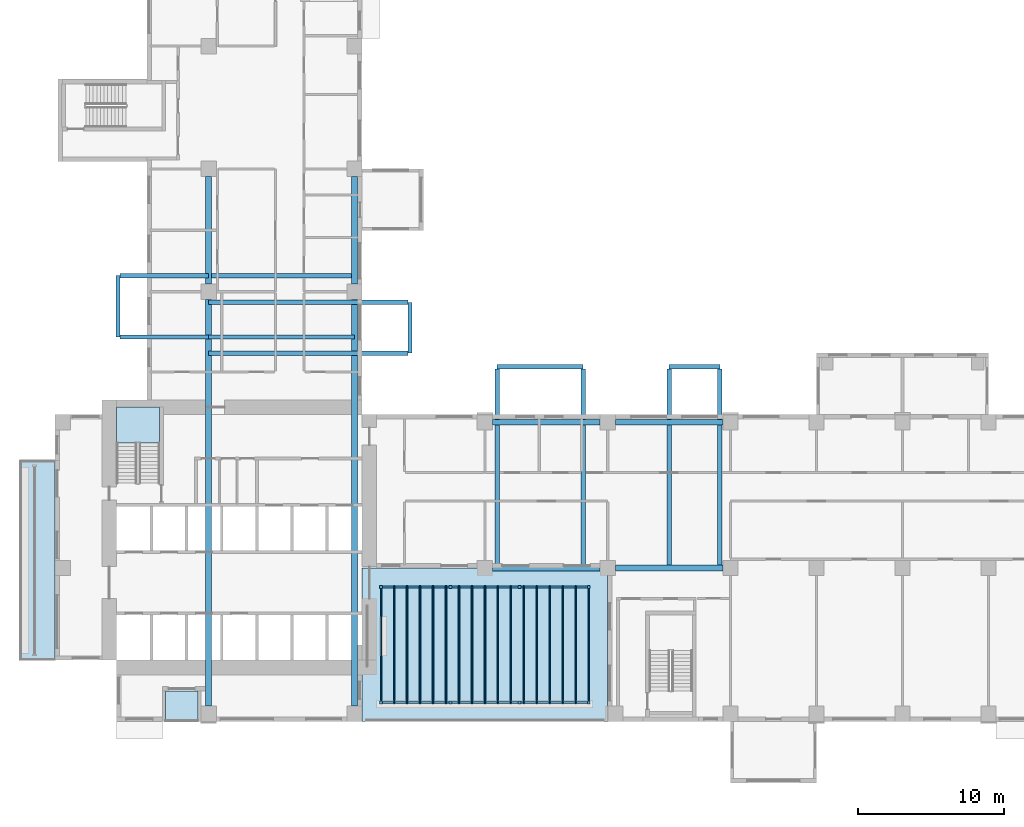
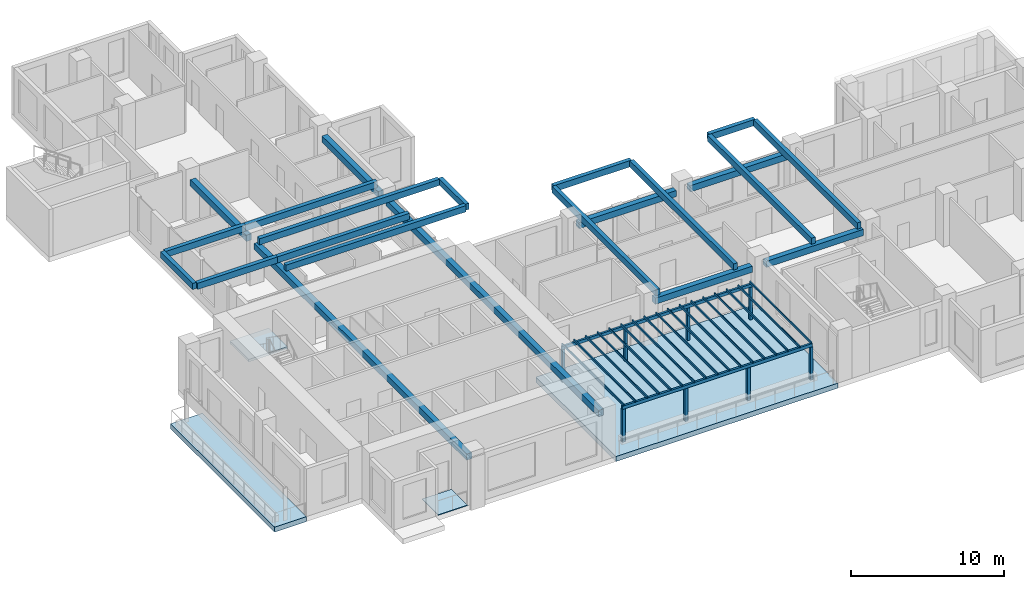
# One storey, part 2 of 15: 27 members, 22 beams, 4 slabs, 1 element without a shape of its own.
"""IFC4 building model written with IfcOpenShell, lengths in metres."""

from ifc_helpers import new_model, si_unit, direction, frame, origin, origin_2d, place, context, subcontext, project, spatial, polyline, rectangle, outline, extrude, source, transform, mapped, material, layer, layer_set, material_profile, profile_set, type_object, element, aggregate, save


model = new_model("IFC4")

# Units and contexts
model_context = context("Model", 3, precision=1e-05, world=origin(), true_north=direction((0.0, 1.0)))
body_context = subcontext(model_context, "Body", "Model", "MODEL_VIEW")
ifc_project = project(units=[si_unit("LENGTHUNIT", "METRE"), si_unit("AREAUNIT", "SQUARE_METRE"), si_unit("VOLUMEUNIT", "CUBIC_METRE"), si_unit("PLANEANGLEUNIT", "RADIAN"), si_unit("MASSUNIT", "GRAM", prefix="KILO")], contexts=[model_context])

# Site, building, storey
site_placement = place(None, origin())
site = spatial("IfcSite", under=ifc_project, at=site_placement, CompositionType="ELEMENT")
building_placement = place(site_placement, origin())
building = spatial("IfcBuilding", under=site, at=building_placement, Name="Aurelian Terraces", CompositionType="ELEMENT")
storey_placement = place(building_placement, frame((0.0, 0.0, 145.5)))
storey = spatial("IfcBuildingStorey", under=building, at=storey_placement, Name="L32", CompositionType="ELEMENT", Elevation=145.5)

# Beams
ifc_material_1 = material(Name="Concrete fc' 40 MPa", Category="concrete")
ifc_material_profile_1 = material_profile(ifc_material_1, rectangle(XDim=0.3, YDim=0.5, at=origin_2d()))
ifc_profile_set_1 = profile_set([ifc_material_profile_1], Name="Concrete fc' 40 MPa")
beam_type_1 = type_object("IfcBeamType", Name="CONCRETE CANTILEVER BEAM 300X500", PredefinedType="BEAM", material=ifc_profile_set_1)
shared_shape_1 = source(origin(), body_context, "Body", "SweptSolid", [
    extrude(rectangle(XDim=0.3, YDim=0.5, at=origin_2d()), origin(), (0.0, 0.0, 1.0), 4.2),
])
beam_1_placement = place(storey_placement, frame((4.3, 26.3, 3.55), z_axis=(0.0, 1.0, 0.0), x_axis=(-1.0, 0.0, 0.0)))
element("IfcBeam", 1, at=beam_1_placement, inside=storey, type_object=beam_type_1, Name="Box tip beam J50", PredefinedType="BEAM", context=body_context, shape_type="MappedRepresentation", body=[
    mapped(shared_shape_1, transform((0.0, 0.0, 0.0), scale=1.0)),
])
shared_shape_2 = source(origin(), body_context, "Body", "SweptSolid", [
    extrude(rectangle(XDim=0.3, YDim=0.5, at=origin_2d()), origin(), (0.0, 0.0, 1.0), 5.88),
])
beam_2_placement = place(storey_placement, frame((30.24, 24.275, 3.55), z_axis=(1.0, 0.0, 0.0), x_axis=(0.0, 1.0, 0.0)))
element("IfcBeam", 2, at=beam_2_placement, inside=storey, type_object=beam_type_1, Name="Box tip beam J47", PredefinedType="BEAM", context=body_context, shape_type="MappedRepresentation", body=[
    mapped(shared_shape_2, transform((0.0, 0.0, 0.0), scale=1.0)),
])
shared_shape_3 = source(origin(), body_context, "Body", "SweptSolid", [
    extrude(rectangle(XDim=0.3, YDim=0.5, at=origin_2d()), origin(), (0.0, 0.0, 1.0), 13.625),
])
for number, where, z_axis, x_axis, name in (
    (3, (30.24, 24.125, 3.55), (0.0, -1.0, 0.0), (1.0, 0.0, 0.0), "Box cantilever beam J47.1"),
    (4, (36.12, 24.125, 3.55), (0.0, -1.0, 0.0), (1.0, 0.0, 0.0), "Box cantilever beam J47.2"),
    (5, (42.0, 24.125, 3.55), (0.0, -1.0, 0.0), (1.0, 0.0, 0.0), "Box cantilever beam J48.1"),
    (6, (45.475, 24.125, 3.55), (0.0, -1.0, 0.0), (1.0, 0.0, 0.0), "Box cantilever beam J48.2"),
    (7, (24.125, 25.2, 3.55), (-1.0, 0.0, 0.0), (0.0, -1.0, 0.0), "Box cantilever beam J49.1"),
    (8, (24.125, 28.675, 3.55), (-1.0, 0.0, 0.0), (0.0, -1.0, 0.0), "Box cantilever beam J49.2"),
):
    element("IfcBeam", number, at=place(storey_placement, frame(where, z_axis=z_axis, x_axis=x_axis)), inside=storey, type_object=beam_type_1, Name=name, PredefinedType="BEAM", context=body_context, shape_type="MappedRepresentation", body=[
        mapped(shared_shape_3, transform((0.0, 0.0, 0.0), scale=1.0)),
    ])
ifc_material_profile_2 = material_profile(ifc_material_1, rectangle(XDim=0.4, YDim=0.5, at=origin_2d()))
ifc_profile_set_2 = profile_set([ifc_material_profile_2], Name="Concrete fc' 40 MPa")
beam_type_2 = type_object("IfcBeamType", Name="CONCRETE EDGE GIRDER 400X500", PredefinedType="BEAM", material=ifc_profile_set_2)
shared_shape_4 = source(origin(), body_context, "Body", "SweptSolid", [
    extrude(rectangle(XDim=0.4, YDim=0.5, at=origin_2d()), origin(), (0.0, 0.0, 1.0), 27.825),
])
for number, where, z_axis, x_axis, name in (
    (9, (20.475, 1.05, 3.05), (0.0, 1.0, 0.0), (-1.0, 0.0, 0.0), "Box girder L32 O101"),
    (10, (10.5, 1.05, 3.05), (0.0, 1.0, 0.0), (-1.0, 0.0, 0.0), "Box girder L32 I102"),
):
    element("IfcBeam", number, at=place(storey_placement, frame(where, z_axis=z_axis, x_axis=x_axis)), inside=storey, type_object=beam_type_2, Name=name, PredefinedType="BEAM", context=body_context, shape_type="MappedRepresentation", body=[
        mapped(shared_shape_4, transform((0.0, 0.0, 0.0), scale=1.0)),
    ])
shared_shape_5 = source(origin(), body_context, "Body", "SweptSolid", [
    extrude(rectangle(XDim=0.4, YDim=0.5, at=origin_2d()), origin(), (0.0, 0.0, 1.0), 7.35),
])
for number, where, z_axis, x_axis, name in (
    (11, (29.925, 20.475, 3.05), (1.0, 0.0, 0.0), (0.0, 1.0, 0.0), "Box girder L32 O97"),
    (12, (29.925, 10.5, 3.05), (1.0, 0.0, 0.0), (0.0, 1.0, 0.0), "Box girder L32 I98"),
    (13, (38.325, 20.475, 3.05), (1.0, 0.0, 0.0), (0.0, 1.0, 0.0), "Box girder L32 O99"),
    (14, (38.325, 10.5, 3.05), (1.0, 0.0, 0.0), (0.0, 1.0, 0.0), "Box girder L32 I100"),
    (15, (10.5, 29.925, 3.05), (0.0, 1.0, 0.0), (-1.0, 0.0, 0.0), "Box girder L32 O103"),
    (16, (20.475, 29.925, 3.05), (0.0, 1.0, 0.0), (-1.0, 0.0, 0.0), "Box girder L32 I104"),
):
    element("IfcBeam", number, at=place(storey_placement, frame(where, z_axis=z_axis, x_axis=x_axis)), inside=storey, type_object=beam_type_2, Name=name, PredefinedType="BEAM", context=body_context, shape_type="MappedRepresentation", body=[
        mapped(shared_shape_5, transform((0.0, 0.0, 0.0), scale=1.0)),
    ])
shared_shape_6 = source(origin(), body_context, "Body", "SweptSolid", [
    extrude(rectangle(XDim=0.3, YDim=0.5, at=origin_2d()), origin(), (0.0, 0.0, 1.0), 3.475),
])
for number, where, z_axis, x_axis, name in (
    (17, (42.0, 24.275, 3.55), (1.0, 0.0, 0.0), (0.0, 1.0, 0.0), "Box tip beam J48"),
    (18, (24.275, 25.2, 3.55), (0.0, 1.0, 0.0), (-1.0, 0.0, 0.0), "Box tip beam J49"),
):
    element("IfcBeam", number, at=place(storey_placement, frame(where, z_axis=z_axis, x_axis=x_axis)), inside=storey, type_object=beam_type_1, Name=name, PredefinedType="BEAM", context=body_context, shape_type="MappedRepresentation", body=[
        mapped(shared_shape_6, transform((0.0, 0.0, 0.0), scale=1.0)),
    ])
ifc_material_profile_3 = material_profile(ifc_material_1, rectangle(XDim=0.3, YDim=0.5, at=origin_2d()))
ifc_profile_set_3 = profile_set([ifc_material_profile_3], Name="Concrete fc' 40 MPa")
beam_type_3 = type_object("IfcBeamType", Name="CONCRETE BOX CANTILEVER BEAM 300X500", PredefinedType="BEAM", material=ifc_profile_set_3)
shared_shape_7 = source(origin(), body_context, "Body", "SweptSolid", [
    extrude(rectangle(XDim=0.3, YDim=0.5, at=origin_2d()), origin(), (0.0, 0.0, 1.0), 6.05),
])
for number, where, z_axis, x_axis, name in (
    (19, (4.45, 26.3, 3.55), (1.0, 0.0, 0.0), (0.0, 1.0, 0.0), "Box cantilever beam J50.1"),
    (20, (4.45, 30.5, 3.55), (1.0, 0.0, 0.0), (0.0, 1.0, 0.0), "Box cantilever beam J50.2"),
):
    element("IfcBeam", number, at=place(storey_placement, frame(where, z_axis=z_axis, x_axis=x_axis)), inside=storey, type_object=beam_type_3, Name=name, PredefinedType="BEAM", context=body_context, shape_type="MappedRepresentation", body=[
        mapped(shared_shape_7, transform((0.0, 0.0, 0.0), scale=1.0)),
    ])
shared_shape_8 = source(origin(), body_context, "Body", "SweptSolid", [
    extrude(rectangle(XDim=0.3, YDim=0.5, at=origin_2d()), origin(), (0.0, 0.0, 1.0), 9.975),
])
for number, where, z_axis, x_axis, name in (
    (21, (10.5, 26.3, 3.55), (1.0, 0.0, 0.0), (0.0, 1.0, 0.0), "Box back-span beam J50.1"),
    (22, (10.5, 30.5, 3.55), (1.0, 0.0, 0.0), (0.0, 1.0, 0.0), "Box back-span beam J50.2"),
):
    element("IfcBeam", number, at=place(storey_placement, frame(where, z_axis=z_axis, x_axis=x_axis)), inside=storey, type_object=beam_type_1, Name=name, PredefinedType="BEAM", context=body_context, shape_type="MappedRepresentation", body=[
        mapped(shared_shape_8, transform((0.0, 0.0, 0.0), scale=1.0)),
    ])

# Members
ifc_material_2 = material(Name="Anodised aluminium", Category="aluminium")
ifc_material_profile_4 = material_profile(ifc_material_2, rectangle(XDim=0.2, YDim=0.2, at=origin_2d()))
ifc_profile_set_4 = profile_set([ifc_material_profile_4], Name="Anodised aluminium")
member_type_1 = type_object("IfcMemberType", Name="PERGOLA POST 200X200", PredefinedType="POST", material=ifc_profile_set_4)
shared_shape_9 = source(origin(), body_context, "Body", "SweptSolid", [
    extrude(rectangle(XDim=0.2, YDim=0.2, at=origin_2d()), origin(), (0.0, 0.0, 1.0), 2.6),
])
for number, where, z_axis, x_axis, name in (
    (23, (22.3, 1.3, 0.0), (0.0, 0.0, 1.0), (1.0, 0.0, 0.0), "Pergola post L32 SKY-05-T1.1.1"),
    (24, (22.3, 9.2, 0.0), (0.0, 0.0, 1.0), (1.0, 0.0, 0.0), "Pergola post L32 SKY-05-T1.1.2"),
    (25, (27.0333, 1.3, 0.0), (0.0, 0.0, 1.0), (1.0, 0.0, 0.0), "Pergola post L32 SKY-05-T1.2.1"),
    (26, (27.0333, 9.2, 0.0), (0.0, 0.0, 1.0), (1.0, 0.0, 0.0), "Pergola post L32 SKY-05-T1.2.2"),
    (27, (31.7667, 1.3, 0.0), (0.0, 0.0, 1.0), (1.0, 0.0, 0.0), "Pergola post L32 SKY-05-T1.3.1"),
    (28, (31.7667, 9.2, 0.0), (0.0, 0.0, 1.0), (1.0, 0.0, 0.0), "Pergola post L32 SKY-05-T1.3.2"),
    (29, (36.5, 1.3, 0.0), (0.0, 0.0, 1.0), (1.0, 0.0, 0.0), "Pergola post L32 SKY-05-T1.4.1"),
    (30, (36.5, 9.2, 0.0), (0.0, 0.0, 1.0), (1.0, 0.0, 0.0), "Pergola post L32 SKY-05-T1.4.2"),
):
    element("IfcMember", number, at=place(storey_placement, frame(where, z_axis=z_axis, x_axis=x_axis)), inside=storey, type_object=member_type_1, Name=name, PredefinedType="POST", context=body_context, shape_type="MappedRepresentation", body=[
        mapped(shared_shape_9, transform((0.0, 0.0, 0.0), scale=1.0)),
    ])
ifc_material_profile_5 = material_profile(ifc_material_2, rectangle(XDim=0.15, YDim=0.25, at=origin_2d()))
ifc_profile_set_5 = profile_set([ifc_material_profile_5], Name="Anodised aluminium")
member_type_2 = type_object("IfcMemberType", Name="PERGOLA BEAM 150X250", PredefinedType="PURLIN", material=ifc_profile_set_5)
shared_shape_10 = source(origin(), body_context, "Body", "SweptSolid", [
    extrude(rectangle(XDim=0.15, YDim=0.25, at=origin_2d()), origin(), (0.0, 0.0, 1.0), 14.4),
])
for number, where, z_axis, x_axis, name in (
    (31, (22.2, 1.3, 2.725), (1.0, 0.0, 0.0), (0.0, 1.0, 0.0), "Pergola beam L32 SKY-05-T1.1"),
    (32, (22.2, 9.2, 2.725), (1.0, 0.0, 0.0), (0.0, 1.0, 0.0), "Pergola beam L32 SKY-05-T1.2"),
):
    element("IfcMember", number, at=place(storey_placement, frame(where, z_axis=z_axis, x_axis=x_axis)), inside=storey, type_object=member_type_2, Name=name, PredefinedType="PURLIN", context=body_context, shape_type="MappedRepresentation", body=[
        mapped(shared_shape_10, transform((0.0, 0.0, 0.0), scale=1.0)),
    ])
ifc_material_profile_6 = material_profile(ifc_material_2, rectangle(XDim=0.08, YDim=0.15, at=origin_2d()))
ifc_profile_set_6 = profile_set([ifc_material_profile_6], Name="Anodised aluminium")
member_type_3 = type_object("IfcMemberType", Name="PERGOLA RAFTER 80X150", PredefinedType="RAFTER", material=ifc_profile_set_6)
shared_shape_11 = source(origin(), body_context, "Body", "SweptSolid", [
    extrude(rectangle(XDim=0.08, YDim=0.15, at=origin_2d()), origin(), (0.0, 0.0, 1.0), 8.1),
])
for number, where, z_axis, x_axis, name in (
    (33, (22.3, 1.2, 2.925), (0.0, 1.0, 0.0), (-1.0, 0.0, 0.0), "Pergola rafter L32 SKY-05-T1.1"),
    (34, (23.1875, 1.2, 2.925), (0.0, 1.0, 0.0), (-1.0, 0.0, 0.0), "Pergola rafter L32 SKY-05-T1.2"),
    (35, (24.075, 1.2, 2.925), (0.0, 1.0, 0.0), (-1.0, 0.0, 0.0), "Pergola rafter L32 SKY-05-T1.3"),
    (36, (24.9625, 1.2, 2.925), (0.0, 1.0, 0.0), (-1.0, 0.0, 0.0), "Pergola rafter L32 SKY-05-T1.4"),
    (37, (25.85, 1.2, 2.925), (0.0, 1.0, 0.0), (-1.0, 0.0, 0.0), "Pergola rafter L32 SKY-05-T1.5"),
    (38, (26.7375, 1.2, 2.925), (0.0, 1.0, 0.0), (-1.0, 0.0, 0.0), "Pergola rafter L32 SKY-05-T1.6"),
    (39, (27.625, 1.2, 2.925), (0.0, 1.0, 0.0), (-1.0, 0.0, 0.0), "Pergola rafter L32 SKY-05-T1.7"),
    (40, (28.5125, 1.2, 2.925), (0.0, 1.0, 0.0), (-1.0, 0.0, 0.0), "Pergola rafter L32 SKY-05-T1.8"),
    (41, (29.4, 1.2, 2.925), (0.0, 1.0, 0.0), (-1.0, 0.0, 0.0), "Pergola rafter L32 SKY-05-T1.9"),
    (42, (30.2875, 1.2, 2.925), (0.0, 1.0, 0.0), (-1.0, 0.0, 0.0), "Pergola rafter L32 SKY-05-T1.10"),
    (43, (31.175, 1.2, 2.925), (0.0, 1.0, 0.0), (-1.0, 0.0, 0.0), "Pergola rafter L32 SKY-05-T1.11"),
    (44, (32.0625, 1.2, 2.925), (0.0, 1.0, 0.0), (-1.0, 0.0, 0.0), "Pergola rafter L32 SKY-05-T1.12"),
    (45, (32.95, 1.2, 2.925), (0.0, 1.0, 0.0), (-1.0, 0.0, 0.0), "Pergola rafter L32 SKY-05-T1.13"),
    (46, (33.8375, 1.2, 2.925), (0.0, 1.0, 0.0), (-1.0, 0.0, 0.0), "Pergola rafter L32 SKY-05-T1.14"),
    (47, (34.725, 1.2, 2.925), (0.0, 1.0, 0.0), (-1.0, 0.0, 0.0), "Pergola rafter L32 SKY-05-T1.15"),
    (48, (35.6125, 1.2, 2.925), (0.0, 1.0, 0.0), (-1.0, 0.0, 0.0), "Pergola rafter L32 SKY-05-T1.16"),
    (49, (36.5, 1.2, 2.925), (0.0, 1.0, 0.0), (-1.0, 0.0, 0.0), "Pergola rafter L32 SKY-05-T1.17"),
):
    element("IfcMember", number, at=place(storey_placement, frame(where, z_axis=z_axis, x_axis=x_axis)), inside=storey, type_object=member_type_3, Name=name, PredefinedType="RAFTER", context=body_context, shape_type="MappedRepresentation", body=[
        mapped(shared_shape_11, transform((0.0, 0.0, 0.0), scale=1.0)),
    ])

# Slabs
ifc_layer_1 = layer(ifc_material_1, 0.4001)
ifc_layer_set_1 = layer_set([ifc_layer_1], Name="Terrace slab 400")
slab_type_1 = type_object("IfcSlabType", Name="Terrace slab 400", PredefinedType="NOTDEFINED", material=ifc_layer_set_1)
shared_shape_12 = source(origin(), body_context, "Body", "SweptSolid", [
    extrude(outline(polyline([(37.8, 10.5), (37.8, 0.0), (21.0, 0.0), (21.0, 10.5), (37.8, 10.5)])), origin(), (0.0, 0.0, 1.0), 0.4001),
])
slab_1_placement = place(storey_placement, frame((0.0, 0.0, -0.4001)))
element("IfcSlab", 50, at=slab_1_placement, inside=storey, type_object=slab_type_1, Name="Sky terrace L32 SKY-05-T1", PredefinedType="NOTDEFINED", context=body_context, shape_type="MappedRepresentation", body=[
    mapped(shared_shape_12, transform((0.0, 0.0, 0.0), scale=1.0)),
])
ifc_layer_2 = layer(ifc_material_1, 0.4)
ifc_layer_set_2 = layer_set([ifc_layer_2], Name="Balcony slab 400")
slab_type_2 = type_object("IfcSlabType", Name="Balcony slab 400", PredefinedType="NOTDEFINED", material=ifc_layer_set_2)
shared_shape_13 = source(origin(), body_context, "Body", "SweptSolid", [
    extrude(outline(polyline([(0.0, 17.85), (0.0, 4.2), (-2.4, 4.2), (-2.4, 17.85), (0.0, 17.85)])), origin(), (0.0, 0.0, 1.0), 0.4),
])
slab_2_placement = place(storey_placement, frame((0.0, 0.0, -0.4)))
element("IfcSlab", 51, at=slab_2_placement, inside=storey, type_object=slab_type_2, Name="Balcony slab L32 F24.41", PredefinedType="NOTDEFINED", context=body_context, shape_type="MappedRepresentation", body=[
    mapped(shared_shape_13, transform((0.0, 0.0, 0.0), scale=1.0)),
])
ifc_material_3 = material(Name="Granite paving", Category="masonry")
ifc_layer_3 = layer(ifc_material_3, 0.05)
ifc_layer_set_3 = layer_set([ifc_layer_3], Name="Loggia paving 50")
slab_type_3 = type_object("IfcSlabType", Name="Loggia paving 50", PredefinedType="NOTDEFINED", material=ifc_layer_set_3)
shared_shape_14 = source(origin(), body_context, "Body", "SweptSolid", [
    extrude(outline(polyline([(7.55, 0.0), (9.775, 0.0), (9.775, 2.1), (7.55, 2.1), (7.55, 0.0)])), origin(), (0.0, 0.0, 1.0), 0.05),
])
slab_3_placement = place(storey_placement, origin())
element("IfcSlab", 52, at=slab_3_placement, inside=storey, type_object=slab_type_3, Name="Loggia floor L32 F01.2", PredefinedType="NOTDEFINED", context=body_context, shape_type="MappedRepresentation", body=[
    mapped(shared_shape_14, transform((0.0, 0.0, 0.0), scale=1.0)),
])

# Stair, slab
stair_type = type_object("IfcStairType", Name="Stair 1400", PredefinedType="HALF_TURN_STAIR", material=ifc_material_1)
stair_placement = place(storey_placement, origin())
stair = element("IfcStair", 53, at=stair_placement, inside=storey, type_object=stair_type, Name="L32 S1", PredefinedType="HALF_TURN_STAIR")
ifc_layer_4 = layer(ifc_material_1, 0.2)
ifc_layer_set_4 = layer_set([ifc_layer_4], Name="Stair landing 200")
slab_type_4 = type_object("IfcSlabType", Name="Stair landing 200", PredefinedType="LANDING", material=ifc_layer_set_4)
shared_shape_15 = source(origin(), body_context, "Body", "SweptSolid", [
    extrude(outline(polyline([(7.15, 19.05), (7.15, 21.5), (4.2, 21.5), (4.2, 19.05), (7.15, 19.05)])), origin(), (0.0, 0.0, 1.0), 0.2),
])
slab_4_placement = place(storey_placement, frame((0.0, 0.0, 1.9)))
slab_4 = element("IfcSlab", 54, at=slab_4_placement, type_object=slab_type_4, Name="S1 landing 1", PredefinedType="LANDING", context=body_context, shape_type="MappedRepresentation", body=[
    mapped(shared_shape_15, transform((0.0, 0.0, 0.0), scale=1.0)),
])
aggregate(stair, [slab_4])

save(model, "model.ifc")
